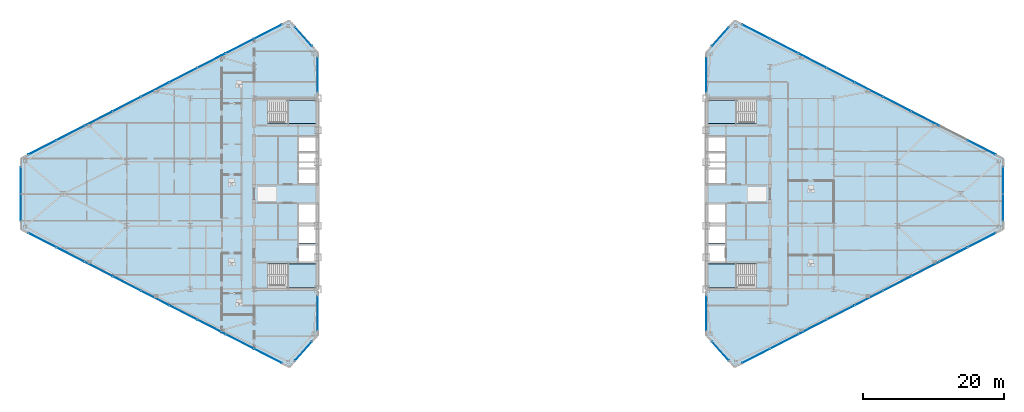
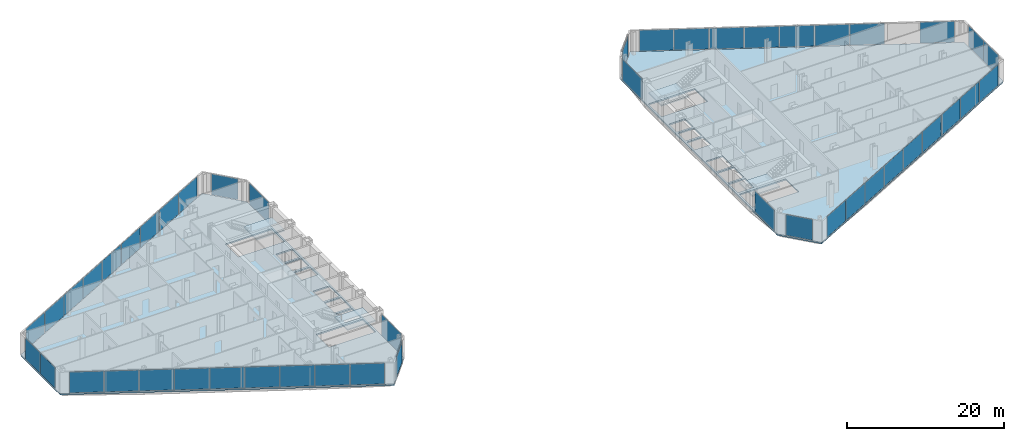
# One storey, part 14 of 24: 47 plates, 6 slabs, 18 elements without a shape of their own.
"""IFC4 building model written with IfcOpenShell, lengths in metres."""

from ifc_helpers import new_model, si_unit, direction, frame, origin, origin_2d, place, context, subcontext, project, spatial, polyline, rectangle, outline, extrude, source, transform, mapped, material, layer, layer_set, type_object, type_shapes, element, aggregate, save


model = new_model("IFC4")

# Units and contexts
model_context = context("Model", 3, precision=1e-05, world=origin(), true_north=direction((0.0, 1.0)))
body_context = subcontext(model_context, "Body", "Model", "MODEL_VIEW")
ifc_project = project(units=[si_unit("LENGTHUNIT", "METRE"), si_unit("AREAUNIT", "SQUARE_METRE"), si_unit("VOLUMEUNIT", "CUBIC_METRE"), si_unit("PLANEANGLEUNIT", "RADIAN"), si_unit("MASSUNIT", "GRAM", prefix="KILO")], contexts=[model_context])

# Site, building, storey
site_placement = place(None, origin())
site = spatial("IfcSite", under=ifc_project, at=site_placement, CompositionType="ELEMENT")
building_placement = place(site_placement, origin())
building = spatial("IfcBuilding", under=site, at=building_placement, Name="Seokmaru Belvedere", CompositionType="ELEMENT")
storey_placement = place(building_placement, frame((0.0, 0.0, 140.39990234375)))
storey = spatial("IfcBuildingStorey", under=building, at=storey_placement, Name="L37", CompositionType="ELEMENT", Elevation=140.39990234375)

# Stair, slab
ifc_material_1 = material(Name="Concrete C40 (40 MPa)", Category="concrete")
stair_type = type_object("IfcStairType", Name="Typical Tower Core Dog-Leg Stair 3600", PredefinedType="TWO_STRAIGHT_RUN_STAIR", material=ifc_material_1)
stair_1_placement = place(storey_placement, origin())
stair_1 = element("IfcStair", 1, at=stair_1_placement, inside=storey, type_object=stair_type, Name="L37 Special Escape Stair ST-W1", PredefinedType="TWO_STRAIGHT_RUN_STAIR")
ifc_layer_1 = layer(ifc_material_1, 0.199951171875)
ifc_layer_set_1 = layer_set([ifc_layer_1], Name="Concrete C40 (40 MPa)")
slab_type_1 = type_object("IfcSlabType", Name="Reinforced Concrete Stair Landing Slab 200", PredefinedType="LANDING", material=ifc_layer_set_1)
slab_1_placement = place(storey_placement, frame((0.0, 0.0, 1.60009765625)))
slab_1 = element("IfcSlab", 2, at=slab_1_placement, type_object=slab_type_1, Name="ST-W1 landing 1", PredefinedType="LANDING", context=body_context, shape_type="SweptSolid", body=[
    extrude(outline(polyline([(-31.8798828125, -13.239990234375), (-27.760009765625, -13.239990234375), (-27.760009765625, -9.949951171875), (-31.8798828125, -9.949951171875), (-31.8798828125, -13.239990234375)])), origin(), (0.0, 0.0, 1.0), 0.199951171875),
])
aggregate(stair_1, [slab_1])

stair_2_placement = place(storey_placement, origin())
stair_2 = element("IfcStair", 3, at=stair_2_placement, inside=storey, type_object=stair_type, Name="L37 Special Escape Stair ST-W2", PredefinedType="TWO_STRAIGHT_RUN_STAIR")
slab_2_placement = place(storey_placement, frame((0.0, 0.0, 1.60009765625)))
slab_2 = element("IfcSlab", 4, at=slab_2_placement, type_object=slab_type_1, Name="ST-W2 landing 1", PredefinedType="LANDING", context=body_context, shape_type="SweptSolid", body=[
    extrude(outline(polyline([(-31.8798828125, 9.949951171875), (-27.760009765625, 9.949951171875), (-27.760009765625, 13.239990234375), (-31.8798828125, 13.239990234375), (-31.8798828125, 9.949951171875)])), origin(), (0.0, 0.0, 1.0), 0.199951171875),
])
aggregate(stair_2, [slab_2])

stair_3_placement = place(storey_placement, origin())
stair_3 = element("IfcStair", 5, at=stair_3_placement, inside=storey, type_object=stair_type, Name="L37 Special Escape Stair ST-E1", PredefinedType="TWO_STRAIGHT_RUN_STAIR")
slab_3_placement = place(storey_placement, frame((0.0, 0.0, 1.60009765625)))
slab_3 = element("IfcSlab", 6, at=slab_3_placement, type_object=slab_type_1, Name="ST-E1 landing 1", PredefinedType="LANDING", context=body_context, shape_type="SweptSolid", body=[
    extrude(outline(polyline([(27.760009765625, -13.239990234375), (31.8798828125, -13.239990234375), (31.8798828125, -9.949951171875), (27.760009765625, -9.949951171875), (27.760009765625, -13.239990234375)])), origin(), (0.0, 0.0, 1.0), 0.199951171875),
])
aggregate(stair_3, [slab_3])

stair_4_placement = place(storey_placement, origin())
stair_4 = element("IfcStair", 7, at=stair_4_placement, inside=storey, type_object=stair_type, Name="L37 Special Escape Stair ST-E2", PredefinedType="TWO_STRAIGHT_RUN_STAIR")
slab_4_placement = place(storey_placement, frame((0.0, 0.0, 1.60009765625)))
slab_4 = element("IfcSlab", 8, at=slab_4_placement, type_object=slab_type_1, Name="ST-E2 landing 1", PredefinedType="LANDING", context=body_context, shape_type="SweptSolid", body=[
    extrude(outline(polyline([(27.760009765625, 9.949951171875), (31.8798828125, 9.949951171875), (31.8798828125, 13.239990234375), (27.760009765625, 13.239990234375), (27.760009765625, 9.949951171875)])), origin(), (0.0, 0.0, 1.0), 0.199951171875),
])
aggregate(stair_4, [slab_4])

# Slabs
ifc_layer_2 = layer(ifc_material_1, 0.219970703125)
ifc_layer_set_2 = layer_set([ifc_layer_2], Name="Concrete C40 (40 MPa)")
slab_type_2 = type_object("IfcSlabType", Name="Typical Tower Composite Floor Slab 220", PredefinedType="FLOOR", material=ifc_layer_set_2)
slab_5_placement = place(storey_placement, frame((0.0, 0.0, -0.219970703125)))
element("IfcSlab", 9, at=slab_5_placement, inside=storey, type_object=slab_type_2, Name="L37 West Leg Floor Slab", PredefinedType="FLOOR", context=body_context, shape_type="SweptSolid", body=[
    extrude(outline(polyline([(-27.5, -20.0), (-27.5, 20.0), (-31.5, 24.5), (-69.5, 5.0), (-69.5, -5.0), (-31.5, -24.5), (-27.5, -20.0)]), holes=[polyline([(-34.60009765625, -13.25), (-27.75, -13.25), (-27.75, -9.949951171875), (-34.60009765625, -9.949951171875), (-34.60009765625, -13.25)]), polyline([(-34.60009765625, 9.949951171875), (-27.75, 9.949951171875), (-27.75, 13.25), (-34.60009765625, 13.25), (-34.60009765625, 9.949951171875)]), polyline([(-30.14990234375, -9.550048828125), (-27.75, -9.550048828125), (-27.75, -7.25), (-30.14990234375, -7.25), (-30.14990234375, -9.550048828125)]), polyline([(-30.14990234375, -6.949951171875), (-27.75, -6.949951171875), (-27.75, -4.35009765625), (-30.14990234375, -4.35009765625), (-30.14990234375, -6.949951171875)]), polyline([(-30.14990234375, -4.050048828125), (-27.75, -4.050048828125), (-27.75, -1.449951171875), (-30.14990234375, -1.449951171875), (-30.14990234375, -4.050048828125)]), polyline([(-30.14990234375, 1.449951171875), (-27.75, 1.449951171875), (-27.75, 3.449951171875), (-30.14990234375, 3.449951171875), (-30.14990234375, 1.449951171875)]), polyline([(-30.14990234375, 3.75), (-27.75, 3.75), (-27.75, 5.75), (-30.14990234375, 5.75), (-30.14990234375, 3.75)]), polyline([(-30.14990234375, 6.050048828125), (-27.75, 6.050048828125), (-27.75, 8.050048828125), (-30.14990234375, 8.050048828125), (-30.14990234375, 6.050048828125)])]), origin(), (0.0, 0.0, 1.0), 0.219970703125),
])
slab_6_placement = place(storey_placement, frame((0.0, 0.0, -0.219970703125)))
element("IfcSlab", 10, at=slab_6_placement, inside=storey, type_object=slab_type_2, Name="L37 East Leg Floor Slab", PredefinedType="FLOOR", context=body_context, shape_type="SweptSolid", body=[
    extrude(outline(polyline([(31.5, -24.5), (69.5, -5.0), (69.5, 5.0), (31.5, 24.5), (27.5, 20.0), (27.5, -20.0), (31.5, -24.5)]), holes=[polyline([(27.75, -13.25), (34.60009765625, -13.25), (34.60009765625, -9.949951171875), (27.75, -9.949951171875), (27.75, -13.25)]), polyline([(27.75, 9.949951171875), (34.60009765625, 9.949951171875), (34.60009765625, 13.25), (27.75, 13.25), (27.75, 9.949951171875)]), polyline([(27.75, -9.550048828125), (30.14990234375, -9.550048828125), (30.14990234375, -7.25), (27.75, -7.25), (27.75, -9.550048828125)]), polyline([(27.75, -6.949951171875), (30.14990234375, -6.949951171875), (30.14990234375, -4.35009765625), (27.75, -4.35009765625), (27.75, -6.949951171875)]), polyline([(27.75, -4.050048828125), (30.14990234375, -4.050048828125), (30.14990234375, -1.449951171875), (27.75, -1.449951171875), (27.75, -4.050048828125)]), polyline([(27.75, 1.449951171875), (30.14990234375, 1.449951171875), (30.14990234375, 3.449951171875), (27.75, 3.449951171875), (27.75, 1.449951171875)]), polyline([(27.75, 3.75), (30.14990234375, 3.75), (30.14990234375, 5.75), (27.75, 5.75), (27.75, 3.75)]), polyline([(27.75, 6.050048828125), (30.14990234375, 6.050048828125), (30.14990234375, 8.050048828125), (27.75, 8.050048828125), (27.75, 6.050048828125)])]), origin(), (0.0, 0.0, 1.0), 0.219970703125),
])

# Curtain wall, plate
ifc_material_2 = material(Name="Bronze Triple Insulating Glass", Category="glass")
ifc_layer_3 = layer(ifc_material_2, 0.195068359375)
ifc_layer_set_3 = layer_set([ifc_layer_3], Name="Bronze Triple Insulating Glass")
curtain_wall_type = type_object("IfcCurtainWallType", Name="Sky-Lobby and Mid-Rise Curtain Wall System CW-4", PredefinedType="NOTDEFINED", material=ifc_layer_set_3)
curtain_wall_1_placement = place(storey_placement, origin())
curtain_wall_1 = element("IfcCurtainWall", 11, at=curtain_wall_1_placement, inside=storey, type_object=curtain_wall_type, Name="L37 Curtain Wall WF2", PredefinedType="NOTDEFINED")
ifc_layer_4 = layer(ifc_material_2, 0.035888671875)
ifc_layer_set_4 = layer_set([ifc_layer_4], Name="Bronze Triple Insulating Glass")
plate_type = type_object("IfcPlateType", Name="Bronze Triple Vision Glazing Panel 36", PredefinedType="CURTAIN_PANEL", material=ifc_layer_set_4)
shared_shape_1 = source(origin(), body_context, "Body", "SweptSolid", [
    extrude(rectangle(XDim=3.580810546875, YDim=0.035888671875, at=origin_2d()), origin(), (0.0, 0.0, 1.0), 3.25),
])
plate_1_placement = place(storey_placement, frame((-29.5, 22.25, 0.065185546875), z_axis=(0.0, 0.0, 1.0), x_axis=(-0.664363325694, 0.747409774804, 0.0)))
plate_1 = element("IfcPlate", 12, at=plate_1_placement, type_object=plate_type, Name="CW:L37:WF2 Glazing Panel 1-1", PredefinedType="CURTAIN_PANEL", context=body_context, shape_type="MappedRepresentation", body=[
    mapped(shared_shape_1, transform((0.0, 0.0, 0.0), scale=1.0)),
])
aggregate(curtain_wall_1, [plate_1])

curtain_wall_2_placement = place(storey_placement, origin())
curtain_wall_2 = element("IfcCurtainWall", 13, at=curtain_wall_2_placement, inside=storey, type_object=curtain_wall_type, Name="L37 Curtain Wall WF6", PredefinedType="NOTDEFINED")
plate_2_placement = place(storey_placement, frame((-29.5, -22.25, 0.065185546875), z_axis=(0.0, 0.0, 1.0), x_axis=(0.664363325694, 0.747409774804, 0.0)))
plate_2 = element("IfcPlate", 14, at=plate_2_placement, type_object=plate_type, Name="CW:L37:WF6 Glazing Panel 1-1", PredefinedType="CURTAIN_PANEL", context=body_context, shape_type="MappedRepresentation", body=[
    mapped(shared_shape_1, transform((0.0, 0.0, 0.0), scale=1.0)),
])
aggregate(curtain_wall_2, [plate_2])

curtain_wall_3_placement = place(storey_placement, origin())
curtain_wall_3 = element("IfcCurtainWall", 15, at=curtain_wall_3_placement, inside=storey, type_object=curtain_wall_type, Name="L37 Curtain Wall EF4", PredefinedType="NOTDEFINED")
plate_3_placement = place(storey_placement, frame((29.5, 22.25, 0.065185546875), z_axis=(0.0, 0.0, 1.0), x_axis=(-0.664363325694, -0.747409774804, 0.0)))
plate_3 = element("IfcPlate", 16, at=plate_3_placement, type_object=plate_type, Name="CW:L37:EF4 Glazing Panel 1-1", PredefinedType="CURTAIN_PANEL", context=body_context, shape_type="MappedRepresentation", body=[
    mapped(shared_shape_1, transform((0.0, 0.0, 0.0), scale=1.0)),
])
aggregate(curtain_wall_3, [plate_3])

curtain_wall_4_placement = place(storey_placement, origin())
curtain_wall_4 = element("IfcCurtainWall", 17, at=curtain_wall_4_placement, inside=storey, type_object=curtain_wall_type, Name="L37 Curtain Wall EF6", PredefinedType="NOTDEFINED")
plate_4_placement = place(storey_placement, frame((29.5, -22.25, 0.065185546875), z_axis=(0.0, 0.0, 1.0), x_axis=(0.664363325694, -0.747409774804, 0.0)))
plate_4 = element("IfcPlate", 18, at=plate_4_placement, type_object=plate_type, Name="CW:L37:EF6 Glazing Panel 1-1", PredefinedType="CURTAIN_PANEL", context=body_context, shape_type="MappedRepresentation", body=[
    mapped(shared_shape_1, transform((0.0, 0.0, 0.0), scale=1.0)),
])
aggregate(curtain_wall_4, [plate_4])

# Curtain wall, plates
curtain_wall_5_placement = place(storey_placement, origin())
curtain_wall_5 = element("IfcCurtainWall", 19, at=curtain_wall_5_placement, inside=storey, type_object=curtain_wall_type, Name="L37 Curtain Wall WF3", PredefinedType="NOTDEFINED")
shared_shape_2 = source(origin(), body_context, "Body", "SweptSolid", [
    extrude(rectangle(XDim=4.38525390625, YDim=0.035888671875, at=origin_2d()), origin(), (0.0, 0.0, 1.0), 3.25),
])
plate_5_placement = place(storey_placement, frame((-34.5361328125, 22.94189453125, 0.065185546875), z_axis=(0.0, 0.0, 1.0), x_axis=(-0.889695432562, -0.456554528263, 0.0)))
plate_5 = element("IfcPlate", 20, at=plate_5_placement, type_object=plate_type, Name="CW:L37:WF3 Glazing Panel 1-1", PredefinedType="CURTAIN_PANEL", context=body_context, shape_type="MappedRepresentation", body=[
    mapped(shared_shape_2, transform((0.0, 0.0, 0.0), scale=1.0)),
])
plate_6_placement = place(storey_placement, frame((-66.4638671875, 6.55810546875, 0.065185546875), z_axis=(0.0, 0.0, 1.0), x_axis=(-0.889695432562, -0.456554528263, 0.0)))
plate_6 = element("IfcPlate", 21, at=plate_6_placement, type_object=plate_type, Name="CW:L37:WF3 Glazing Panel 9-1", PredefinedType="CURTAIN_PANEL", context=body_context, shape_type="MappedRepresentation", body=[
    mapped(shared_shape_2, transform((0.0, 0.0, 0.0), scale=1.0)),
])

curtain_wall_6_placement = place(storey_placement, origin())
curtain_wall_6 = element("IfcCurtainWall", 22, at=curtain_wall_6_placement, inside=storey, type_object=curtain_wall_type, Name="L37 Curtain Wall WF5", PredefinedType="NOTDEFINED")
plate_7_placement = place(storey_placement, frame((-66.4638671875, -6.55810546875, 0.065185546875), z_axis=(0.0, 0.0, 1.0), x_axis=(0.889695432562, -0.456554528263, 0.0)))
plate_7 = element("IfcPlate", 23, at=plate_7_placement, type_object=plate_type, Name="CW:L37:WF5 Glazing Panel 1-1", PredefinedType="CURTAIN_PANEL", context=body_context, shape_type="MappedRepresentation", body=[
    mapped(shared_shape_2, transform((0.0, 0.0, 0.0), scale=1.0)),
])
plate_8_placement = place(storey_placement, frame((-34.5361328125, -22.94189453125, 0.065185546875), z_axis=(0.0, 0.0, 1.0), x_axis=(0.889695432562, -0.456554528263, 0.0)))
plate_8 = element("IfcPlate", 24, at=plate_8_placement, type_object=plate_type, Name="CW:L37:WF5 Glazing Panel 9-1", PredefinedType="CURTAIN_PANEL", context=body_context, shape_type="MappedRepresentation", body=[
    mapped(shared_shape_2, transform((0.0, 0.0, 0.0), scale=1.0)),
])

curtain_wall_7_placement = place(storey_placement, origin())
curtain_wall_7 = element("IfcCurtainWall", 25, at=curtain_wall_7_placement, inside=storey, type_object=curtain_wall_type, Name="L37 Curtain Wall EF1", PredefinedType="NOTDEFINED")
plate_9_placement = place(storey_placement, frame((34.5361328125, -22.94189453125, 0.065185546875), z_axis=(0.0, 0.0, 1.0), x_axis=(0.889695432562, 0.456554528263, 0.0)))
plate_9 = element("IfcPlate", 26, at=plate_9_placement, type_object=plate_type, Name="CW:L37:EF1 Glazing Panel 1-1", PredefinedType="CURTAIN_PANEL", context=body_context, shape_type="MappedRepresentation", body=[
    mapped(shared_shape_2, transform((0.0, 0.0, 0.0), scale=1.0)),
])
plate_10_placement = place(storey_placement, frame((66.4638671875, -6.55810546875, 0.065185546875), z_axis=(0.0, 0.0, 1.0), x_axis=(0.889695432562, 0.456554528263, 0.0)))
plate_10 = element("IfcPlate", 27, at=plate_10_placement, type_object=plate_type, Name="CW:L37:EF1 Glazing Panel 9-1", PredefinedType="CURTAIN_PANEL", context=body_context, shape_type="MappedRepresentation", body=[
    mapped(shared_shape_2, transform((0.0, 0.0, 0.0), scale=1.0)),
])

curtain_wall_8_placement = place(storey_placement, origin())
curtain_wall_8 = element("IfcCurtainWall", 28, at=curtain_wall_8_placement, inside=storey, type_object=curtain_wall_type, Name="L37 Curtain Wall EF3", PredefinedType="NOTDEFINED")
plate_11_placement = place(storey_placement, frame((66.4638671875, 6.55810546875, 0.065185546875), z_axis=(0.0, 0.0, 1.0), x_axis=(-0.889695432562, 0.456554528263, 0.0)))
plate_11 = element("IfcPlate", 29, at=plate_11_placement, type_object=plate_type, Name="CW:L37:EF3 Glazing Panel 1-1", PredefinedType="CURTAIN_PANEL", context=body_context, shape_type="MappedRepresentation", body=[
    mapped(shared_shape_2, transform((0.0, 0.0, 0.0), scale=1.0)),
])
plate_12_placement = place(storey_placement, frame((34.5361328125, 22.94189453125, 0.065185546875), z_axis=(0.0, 0.0, 1.0), x_axis=(-0.889695432562, 0.456554528263, 0.0)))
plate_12 = element("IfcPlate", 30, at=plate_12_placement, type_object=plate_type, Name="CW:L37:EF3 Glazing Panel 9-1", PredefinedType="CURTAIN_PANEL", context=body_context, shape_type="MappedRepresentation", body=[
    mapped(shared_shape_2, transform((0.0, 0.0, 0.0), scale=1.0)),
])

# Plate
shared_shape_3 = source(origin(), body_context, "Body", "SweptSolid", [
    extrude(rectangle(XDim=4.420166015625, YDim=0.035888671875, at=origin_2d()), origin(), (0.0, 0.0, 1.0), 3.25),
])
plate_13_placement = place(storey_placement, frame((-38.515380859375, 20.89990234375, 0.065185546875), z_axis=(0.0, 0.0, 1.0), x_axis=(-0.889695432562, -0.456554528263, 0.0)))
plate_13 = element("IfcPlate", 31, at=plate_13_placement, type_object=plate_type, Name="CW:L37:WF3 Glazing Panel 2-1", PredefinedType="CURTAIN_PANEL", context=body_context, shape_type="MappedRepresentation", body=[
    mapped(shared_shape_3, transform((0.0, 0.0, 0.0), scale=1.0)),
])

plate_14_placement = place(storey_placement, frame((-42.51025390625, 18.85009765625, 0.065185546875), z_axis=(0.0, 0.0, 1.0), x_axis=(-0.889695432562, -0.456554528263, 0.0)))
plate_14 = element("IfcPlate", 32, at=plate_14_placement, type_object=plate_type, Name="CW:L37:WF3 Glazing Panel 3-1", PredefinedType="CURTAIN_PANEL", context=body_context, shape_type="MappedRepresentation", body=[
    mapped(shared_shape_3, transform((0.0, 0.0, 0.0), scale=1.0)),
])

plate_15_placement = place(storey_placement, frame((-46.505126953125, 16.800048828125, 0.065185546875), z_axis=(0.0, 0.0, 1.0), x_axis=(-0.889695432562, -0.456554528263, 0.0)))
plate_15 = element("IfcPlate", 33, at=plate_15_placement, type_object=plate_type, Name="CW:L37:WF3 Glazing Panel 4-1", PredefinedType="CURTAIN_PANEL", context=body_context, shape_type="MappedRepresentation", body=[
    mapped(shared_shape_3, transform((0.0, 0.0, 0.0), scale=1.0)),
])

plate_16_placement = place(storey_placement, frame((-50.5, 14.75, 0.065185546875), z_axis=(0.0, 0.0, 1.0), x_axis=(-0.889695432562, -0.456554528263, 0.0)))
plate_16 = element("IfcPlate", 34, at=plate_16_placement, type_object=plate_type, Name="CW:L37:WF3 Glazing Panel 5-1", PredefinedType="CURTAIN_PANEL", context=body_context, shape_type="MappedRepresentation", body=[
    mapped(shared_shape_3, transform((0.0, 0.0, 0.0), scale=1.0)),
])

plate_17_placement = place(storey_placement, frame((-54.494873046875, 12.699951171875, 0.065185546875), z_axis=(0.0, 0.0, 1.0), x_axis=(-0.889695432562, -0.456554528263, 0.0)))
plate_17 = element("IfcPlate", 35, at=plate_17_placement, type_object=plate_type, Name="CW:L37:WF3 Glazing Panel 6-1", PredefinedType="CURTAIN_PANEL", context=body_context, shape_type="MappedRepresentation", body=[
    mapped(shared_shape_3, transform((0.0, 0.0, 0.0), scale=1.0)),
])

plate_18_placement = place(storey_placement, frame((-58.48974609375, 10.64990234375, 0.065185546875), z_axis=(0.0, 0.0, 1.0), x_axis=(-0.889695432562, -0.456554528263, 0.0)))
plate_18 = element("IfcPlate", 36, at=plate_18_placement, type_object=plate_type, Name="CW:L37:WF3 Glazing Panel 7-1", PredefinedType="CURTAIN_PANEL", context=body_context, shape_type="MappedRepresentation", body=[
    mapped(shared_shape_3, transform((0.0, 0.0, 0.0), scale=1.0)),
])

plate_19_placement = place(storey_placement, frame((-62.484619140625, 8.60009765625, 0.065185546875), z_axis=(0.0, 0.0, 1.0), x_axis=(-0.889695432562, -0.456554528263, 0.0)))
plate_19 = element("IfcPlate", 37, at=plate_19_placement, type_object=plate_type, Name="CW:L37:WF3 Glazing Panel 8-1", PredefinedType="CURTAIN_PANEL", context=body_context, shape_type="MappedRepresentation", body=[
    mapped(shared_shape_3, transform((0.0, 0.0, 0.0), scale=1.0)),
])

aggregate(curtain_wall_5, [plate_5, plate_13, plate_14, plate_15, plate_16, plate_17, plate_18, plate_19, plate_6])

plate_20_placement = place(storey_placement, frame((-62.484619140625, -8.60009765625, 0.065185546875), z_axis=(0.0, 0.0, 1.0), x_axis=(0.889695432562, -0.456554528263, 0.0)))
plate_20 = element("IfcPlate", 38, at=plate_20_placement, type_object=plate_type, Name="CW:L37:WF5 Glazing Panel 2-1", PredefinedType="CURTAIN_PANEL", context=body_context, shape_type="MappedRepresentation", body=[
    mapped(shared_shape_3, transform((0.0, 0.0, 0.0), scale=1.0)),
])

plate_21_placement = place(storey_placement, frame((-58.48974609375, -10.64990234375, 0.065185546875), z_axis=(0.0, 0.0, 1.0), x_axis=(0.889695432562, -0.456554528263, 0.0)))
plate_21 = element("IfcPlate", 39, at=plate_21_placement, type_object=plate_type, Name="CW:L37:WF5 Glazing Panel 3-1", PredefinedType="CURTAIN_PANEL", context=body_context, shape_type="MappedRepresentation", body=[
    mapped(shared_shape_3, transform((0.0, 0.0, 0.0), scale=1.0)),
])

plate_22_placement = place(storey_placement, frame((-54.494873046875, -12.699951171875, 0.065185546875), z_axis=(0.0, 0.0, 1.0), x_axis=(0.889695432562, -0.456554528263, 0.0)))
plate_22 = element("IfcPlate", 40, at=plate_22_placement, type_object=plate_type, Name="CW:L37:WF5 Glazing Panel 4-1", PredefinedType="CURTAIN_PANEL", context=body_context, shape_type="MappedRepresentation", body=[
    mapped(shared_shape_3, transform((0.0, 0.0, 0.0), scale=1.0)),
])

plate_23_placement = place(storey_placement, frame((-50.5, -14.75, 0.065185546875), z_axis=(0.0, 0.0, 1.0), x_axis=(0.889695432562, -0.456554528263, 0.0)))
plate_23 = element("IfcPlate", 41, at=plate_23_placement, type_object=plate_type, Name="CW:L37:WF5 Glazing Panel 5-1", PredefinedType="CURTAIN_PANEL", context=body_context, shape_type="MappedRepresentation", body=[
    mapped(shared_shape_3, transform((0.0, 0.0, 0.0), scale=1.0)),
])

plate_24_placement = place(storey_placement, frame((-46.505126953125, -16.800048828125, 0.065185546875), z_axis=(0.0, 0.0, 1.0), x_axis=(0.889695432562, -0.456554528263, 0.0)))
plate_24 = element("IfcPlate", 42, at=plate_24_placement, type_object=plate_type, Name="CW:L37:WF5 Glazing Panel 6-1", PredefinedType="CURTAIN_PANEL", context=body_context, shape_type="MappedRepresentation", body=[
    mapped(shared_shape_3, transform((0.0, 0.0, 0.0), scale=1.0)),
])

plate_25_placement = place(storey_placement, frame((-42.51025390625, -18.85009765625, 0.065185546875), z_axis=(0.0, 0.0, 1.0), x_axis=(0.889695432562, -0.456554528263, 0.0)))
plate_25 = element("IfcPlate", 43, at=plate_25_placement, type_object=plate_type, Name="CW:L37:WF5 Glazing Panel 7-1", PredefinedType="CURTAIN_PANEL", context=body_context, shape_type="MappedRepresentation", body=[
    mapped(shared_shape_3, transform((0.0, 0.0, 0.0), scale=1.0)),
])

plate_26_placement = place(storey_placement, frame((-38.515380859375, -20.89990234375, 0.065185546875), z_axis=(0.0, 0.0, 1.0), x_axis=(0.889695432562, -0.456554528263, 0.0)))
plate_26 = element("IfcPlate", 44, at=plate_26_placement, type_object=plate_type, Name="CW:L37:WF5 Glazing Panel 8-1", PredefinedType="CURTAIN_PANEL", context=body_context, shape_type="MappedRepresentation", body=[
    mapped(shared_shape_3, transform((0.0, 0.0, 0.0), scale=1.0)),
])

aggregate(curtain_wall_6, [plate_7, plate_20, plate_21, plate_22, plate_23, plate_24, plate_25, plate_26, plate_8])

plate_27_placement = place(storey_placement, frame((38.515380859375, -20.89990234375, 0.065185546875), z_axis=(0.0, 0.0, 1.0), x_axis=(0.889695432562, 0.456554528263, 0.0)))
plate_27 = element("IfcPlate", 45, at=plate_27_placement, type_object=plate_type, Name="CW:L37:EF1 Glazing Panel 2-1", PredefinedType="CURTAIN_PANEL", context=body_context, shape_type="MappedRepresentation", body=[
    mapped(shared_shape_3, transform((0.0, 0.0, 0.0), scale=1.0)),
])

plate_28_placement = place(storey_placement, frame((42.51025390625, -18.85009765625, 0.065185546875), z_axis=(0.0, 0.0, 1.0), x_axis=(0.889695432562, 0.456554528263, 0.0)))
plate_28 = element("IfcPlate", 46, at=plate_28_placement, type_object=plate_type, Name="CW:L37:EF1 Glazing Panel 3-1", PredefinedType="CURTAIN_PANEL", context=body_context, shape_type="MappedRepresentation", body=[
    mapped(shared_shape_3, transform((0.0, 0.0, 0.0), scale=1.0)),
])

plate_29_placement = place(storey_placement, frame((46.505126953125, -16.800048828125, 0.065185546875), z_axis=(0.0, 0.0, 1.0), x_axis=(0.889695432562, 0.456554528263, 0.0)))
plate_29 = element("IfcPlate", 47, at=plate_29_placement, type_object=plate_type, Name="CW:L37:EF1 Glazing Panel 4-1", PredefinedType="CURTAIN_PANEL", context=body_context, shape_type="MappedRepresentation", body=[
    mapped(shared_shape_3, transform((0.0, 0.0, 0.0), scale=1.0)),
])

plate_30_placement = place(storey_placement, frame((50.5, -14.75, 0.065185546875), z_axis=(0.0, 0.0, 1.0), x_axis=(0.889695432562, 0.456554528263, 0.0)))
plate_30 = element("IfcPlate", 48, at=plate_30_placement, type_object=plate_type, Name="CW:L37:EF1 Glazing Panel 5-1", PredefinedType="CURTAIN_PANEL", context=body_context, shape_type="MappedRepresentation", body=[
    mapped(shared_shape_3, transform((0.0, 0.0, 0.0), scale=1.0)),
])

plate_31_placement = place(storey_placement, frame((54.494873046875, -12.699951171875, 0.065185546875), z_axis=(0.0, 0.0, 1.0), x_axis=(0.889695432562, 0.456554528263, 0.0)))
plate_31 = element("IfcPlate", 49, at=plate_31_placement, type_object=plate_type, Name="CW:L37:EF1 Glazing Panel 6-1", PredefinedType="CURTAIN_PANEL", context=body_context, shape_type="MappedRepresentation", body=[
    mapped(shared_shape_3, transform((0.0, 0.0, 0.0), scale=1.0)),
])

plate_32_placement = place(storey_placement, frame((58.48974609375, -10.64990234375, 0.065185546875), z_axis=(0.0, 0.0, 1.0), x_axis=(0.889695432562, 0.456554528263, 0.0)))
plate_32 = element("IfcPlate", 50, at=plate_32_placement, type_object=plate_type, Name="CW:L37:EF1 Glazing Panel 7-1", PredefinedType="CURTAIN_PANEL", context=body_context, shape_type="MappedRepresentation", body=[
    mapped(shared_shape_3, transform((0.0, 0.0, 0.0), scale=1.0)),
])

plate_33_placement = place(storey_placement, frame((62.484619140625, -8.60009765625, 0.065185546875), z_axis=(0.0, 0.0, 1.0), x_axis=(0.889695432562, 0.456554528263, 0.0)))
plate_33 = element("IfcPlate", 51, at=plate_33_placement, type_object=plate_type, Name="CW:L37:EF1 Glazing Panel 8-1", PredefinedType="CURTAIN_PANEL", context=body_context, shape_type="MappedRepresentation", body=[
    mapped(shared_shape_3, transform((0.0, 0.0, 0.0), scale=1.0)),
])

aggregate(curtain_wall_7, [plate_9, plate_27, plate_28, plate_29, plate_30, plate_31, plate_32, plate_33, plate_10])

plate_34_placement = place(storey_placement, frame((58.48974609375, 10.64990234375, 0.065185546875), z_axis=(0.0, 0.0, 1.0), x_axis=(-0.889695432562, 0.456554528263, 0.0)))
plate_34 = element("IfcPlate", 52, at=plate_34_placement, type_object=plate_type, Name="CW:L37:EF3 Glazing Panel 3-1", PredefinedType="CURTAIN_PANEL", context=body_context, shape_type="MappedRepresentation", body=[
    mapped(shared_shape_3, transform((0.0, 0.0, 0.0), scale=1.0)),
])

plate_35_placement = place(storey_placement, frame((54.494873046875, 12.699951171875, 0.065185546875), z_axis=(0.0, 0.0, 1.0), x_axis=(-0.889695432562, 0.456554528263, 0.0)))
plate_35 = element("IfcPlate", 53, at=plate_35_placement, type_object=plate_type, Name="CW:L37:EF3 Glazing Panel 4-1", PredefinedType="CURTAIN_PANEL", context=body_context, shape_type="MappedRepresentation", body=[
    mapped(shared_shape_3, transform((0.0, 0.0, 0.0), scale=1.0)),
])

plate_36_placement = place(storey_placement, frame((50.5, 14.75, 0.065185546875), z_axis=(0.0, 0.0, 1.0), x_axis=(-0.889695432562, 0.456554528263, 0.0)))
plate_36 = element("IfcPlate", 54, at=plate_36_placement, type_object=plate_type, Name="CW:L37:EF3 Glazing Panel 5-1", PredefinedType="CURTAIN_PANEL", context=body_context, shape_type="MappedRepresentation", body=[
    mapped(shared_shape_3, transform((0.0, 0.0, 0.0), scale=1.0)),
])

plate_37_placement = place(storey_placement, frame((46.505126953125, 16.800048828125, 0.065185546875), z_axis=(0.0, 0.0, 1.0), x_axis=(-0.889695432562, 0.456554528263, 0.0)))
plate_37 = element("IfcPlate", 55, at=plate_37_placement, type_object=plate_type, Name="CW:L37:EF3 Glazing Panel 6-1", PredefinedType="CURTAIN_PANEL", context=body_context, shape_type="MappedRepresentation", body=[
    mapped(shared_shape_3, transform((0.0, 0.0, 0.0), scale=1.0)),
])

plate_38_placement = place(storey_placement, frame((42.51025390625, 18.85009765625, 0.065185546875), z_axis=(0.0, 0.0, 1.0), x_axis=(-0.889695432562, 0.456554528263, 0.0)))
plate_38 = element("IfcPlate", 56, at=plate_38_placement, type_object=plate_type, Name="CW:L37:EF3 Glazing Panel 7-1", PredefinedType="CURTAIN_PANEL", context=body_context, shape_type="MappedRepresentation", body=[
    mapped(shared_shape_3, transform((0.0, 0.0, 0.0), scale=1.0)),
])

plate_39_placement = place(storey_placement, frame((38.515380859375, 20.89990234375, 0.065185546875), z_axis=(0.0, 0.0, 1.0), x_axis=(-0.889695432562, 0.456554528263, 0.0)))
plate_39 = element("IfcPlate", 57, at=plate_39_placement, type_object=plate_type, Name="CW:L37:EF3 Glazing Panel 8-1", PredefinedType="CURTAIN_PANEL", context=body_context, shape_type="MappedRepresentation", body=[
    mapped(shared_shape_3, transform((0.0, 0.0, 0.0), scale=1.0)),
])

aggregate(curtain_wall_8, [plate_11, plate_34, plate_35, plate_36, plate_37, plate_38, plate_39, plate_12])

# Curtain wall, plates
curtain_wall_9_placement = place(storey_placement, origin())
curtain_wall_9 = element("IfcCurtainWall", 58, at=curtain_wall_9_placement, inside=storey, type_object=curtain_wall_type, Name="L37 Curtain Wall WF4", PredefinedType="NOTDEFINED")
shared_shape_4 = source(origin(), body_context, "Body", "SweptSolid", [
    extrude(rectangle(XDim=3.7451171875, YDim=0.035888671875, at=origin_2d()), origin(), (0.0, 0.0, 1.0), 3.25),
])
plate_40_placement = place(storey_placement, frame((-69.5, 1.907470703125, 0.065185546875), z_axis=(0.0, 0.0, 1.0), x_axis=(0.0, -1.0, 0.0)))
plate_40 = element("IfcPlate", 59, at=plate_40_placement, type_object=plate_type, Name="CW:L37:WF4 Glazing Panel 1-1", PredefinedType="CURTAIN_PANEL", context=body_context, shape_type="MappedRepresentation", body=[
    mapped(shared_shape_4, transform((0.0, 0.0, 0.0), scale=1.0)),
])
plate_41_placement = place(storey_placement, frame((-69.5, -1.907470703125, 0.065185546875), z_axis=(0.0, 0.0, 1.0), x_axis=(0.0, -1.0, 0.0)))
plate_41 = element("IfcPlate", 60, at=plate_41_placement, type_object=plate_type, Name="CW:L37:WF4 Glazing Panel 2-1", PredefinedType="CURTAIN_PANEL", context=body_context, shape_type="MappedRepresentation", body=[
    mapped(shared_shape_4, transform((0.0, 0.0, 0.0), scale=1.0)),
])
aggregate(curtain_wall_9, [plate_40, plate_41])

curtain_wall_10_placement = place(storey_placement, origin())
curtain_wall_10 = element("IfcCurtainWall", 61, at=curtain_wall_10_placement, inside=storey, type_object=curtain_wall_type, Name="L37 Curtain Wall EF2", PredefinedType="NOTDEFINED")
plate_42_placement = place(storey_placement, frame((69.5, -1.907470703125, 0.065185546875), z_axis=(0.0, 0.0, 1.0), x_axis=(0.0, 1.0, 0.0)))
plate_42 = element("IfcPlate", 62, at=plate_42_placement, type_object=plate_type, Name="CW:L37:EF2 Glazing Panel 1-1", PredefinedType="CURTAIN_PANEL", context=body_context, shape_type="MappedRepresentation", body=[
    mapped(shared_shape_4, transform((0.0, 0.0, 0.0), scale=1.0)),
])
plate_43_placement = place(storey_placement, frame((69.5, 1.907470703125, 0.065185546875), z_axis=(0.0, 0.0, 1.0), x_axis=(0.0, 1.0, 0.0)))
plate_43 = element("IfcPlate", 63, at=plate_43_placement, type_object=plate_type, Name="CW:L37:EF2 Glazing Panel 2-1", PredefinedType="CURTAIN_PANEL", context=body_context, shape_type="MappedRepresentation", body=[
    mapped(shared_shape_4, transform((0.0, 0.0, 0.0), scale=1.0)),
])
aggregate(curtain_wall_10, [plate_42, plate_43])

# Curtain wall, plate
curtain_wall_11_placement = place(storey_placement, origin())
curtain_wall_11 = element("IfcCurtainWall", 64, at=curtain_wall_11_placement, inside=storey, type_object=curtain_wall_type, Name="L37 Curtain Wall WSP_1", PredefinedType="NOTDEFINED")
shared_shape_5 = source(origin(), body_context, "Body", "SweptSolid", [
    extrude(rectangle(XDim=4.9599609375, YDim=0.035888671875, at=origin_2d()), origin(), (0.0, 0.0, 1.0), 3.25),
])
type_shapes(plate_type, [shared_shape_1, shared_shape_2, shared_shape_3, shared_shape_4, shared_shape_5])
plate_44_placement = place(storey_placement, frame((-27.5, -16.8798828125, 0.065185546875), z_axis=(0.0, 0.0, 1.0), x_axis=(0.0, 1.0, 0.0)))
plate_44 = element("IfcPlate", 65, at=plate_44_placement, type_object=plate_type, Name="CW:L37:WSP_1 Glazing Panel 1-1", PredefinedType="CURTAIN_PANEL", context=body_context, shape_type="MappedRepresentation", body=[
    mapped(shared_shape_5, transform((0.0, 0.0, 0.0), scale=1.0)),
])
aggregate(curtain_wall_11, [plate_44])

curtain_wall_12_placement = place(storey_placement, origin())
curtain_wall_12 = element("IfcCurtainWall", 66, at=curtain_wall_12_placement, inside=storey, type_object=curtain_wall_type, Name="L37 Curtain Wall WSP_2", PredefinedType="NOTDEFINED")
plate_45_placement = place(storey_placement, frame((-27.5, 16.8798828125, 0.065185546875), z_axis=(0.0, 0.0, 1.0), x_axis=(0.0, 1.0, 0.0)))
plate_45 = element("IfcPlate", 67, at=plate_45_placement, type_object=plate_type, Name="CW:L37:WSP_2 Glazing Panel 1-1", PredefinedType="CURTAIN_PANEL", context=body_context, shape_type="MappedRepresentation", body=[
    mapped(shared_shape_5, transform((0.0, 0.0, 0.0), scale=1.0)),
])
aggregate(curtain_wall_12, [plate_45])

curtain_wall_13_placement = place(storey_placement, origin())
curtain_wall_13 = element("IfcCurtainWall", 68, at=curtain_wall_13_placement, inside=storey, type_object=curtain_wall_type, Name="L37 Curtain Wall ESP_1", PredefinedType="NOTDEFINED")
plate_46_placement = place(storey_placement, frame((27.5, -16.8798828125, 0.065185546875), z_axis=(0.0, 0.0, 1.0), x_axis=(0.0, -1.0, 0.0)))
plate_46 = element("IfcPlate", 69, at=plate_46_placement, type_object=plate_type, Name="CW:L37:ESP_1 Glazing Panel 1-1", PredefinedType="CURTAIN_PANEL", context=body_context, shape_type="MappedRepresentation", body=[
    mapped(shared_shape_5, transform((0.0, 0.0, 0.0), scale=1.0)),
])
aggregate(curtain_wall_13, [plate_46])

curtain_wall_14_placement = place(storey_placement, origin())
curtain_wall_14 = element("IfcCurtainWall", 70, at=curtain_wall_14_placement, inside=storey, type_object=curtain_wall_type, Name="L37 Curtain Wall ESP_2", PredefinedType="NOTDEFINED")
plate_47_placement = place(storey_placement, frame((27.5, 16.8798828125, 0.065185546875), z_axis=(0.0, 0.0, 1.0), x_axis=(0.0, -1.0, 0.0)))
plate_47 = element("IfcPlate", 71, at=plate_47_placement, type_object=plate_type, Name="CW:L37:ESP_2 Glazing Panel 1-1", PredefinedType="CURTAIN_PANEL", context=body_context, shape_type="MappedRepresentation", body=[
    mapped(shared_shape_5, transform((0.0, 0.0, 0.0), scale=1.0)),
])
aggregate(curtain_wall_14, [plate_47])

save(model, "model.ifc")
